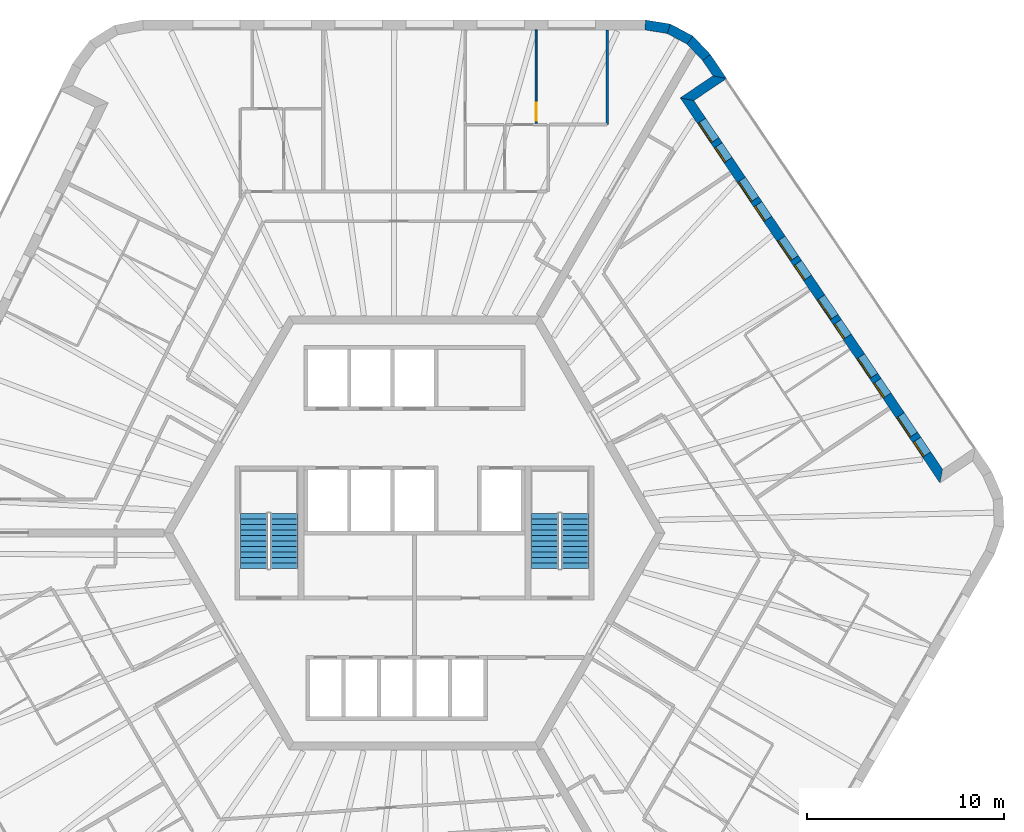
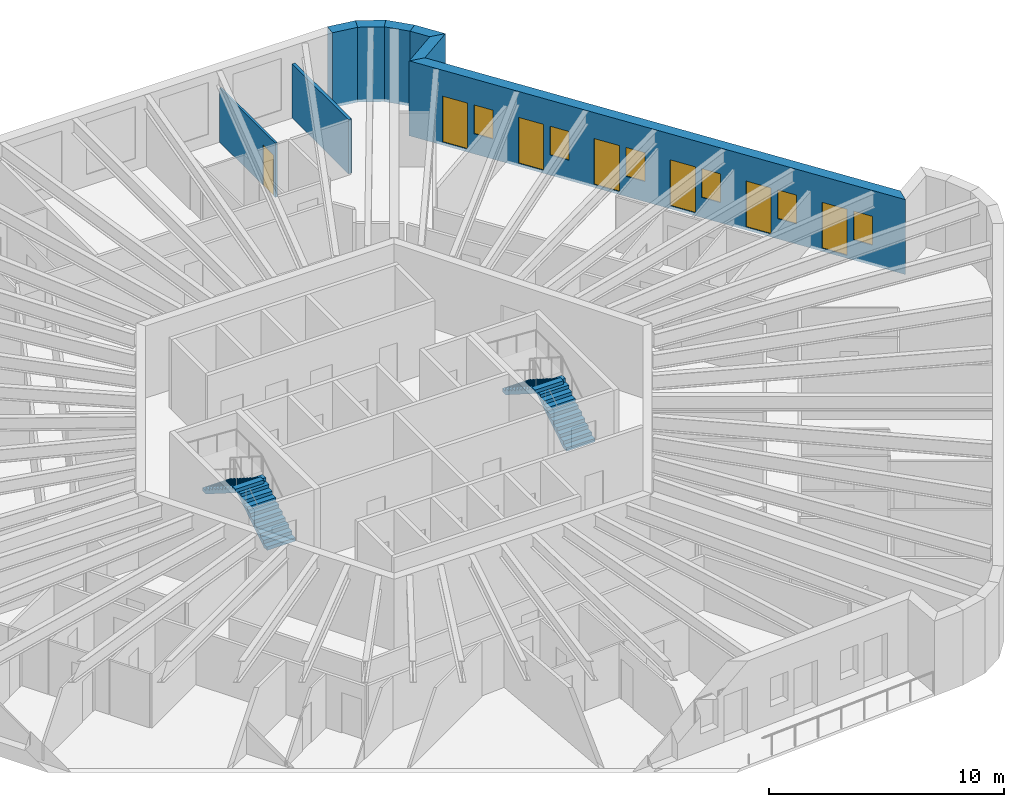
# One storey, part 11 of 12: 8 walls, 7 doors, 6 windows, 4 stair flights, 13 openings, 2 elements without a shape of their own.
"""IFC4 building model written with IfcOpenShell, lengths in metres."""

import ifcopenshell
import ifcopenshell.guid

model = None  # the IFC model being written
_history = None  # IfcOwnerHistory: only IFC2X3 demands one
_inside = {}  # id of a spatial element -> (the spatial element, [elements in it])
_under = {}  # id of a project, library or spatial element -> (it, [spatial elements below it])
_declared = {}  # id of a project -> (the project, [libraries it declares])
_typed = {}  # id of a type object -> (the type object, [elements of that type])
_made_of = {}  # id of a material, layer set ... -> (it, [elements and type objects made of it])


def new_model(schema):
    """Start an empty IFC model of exactly this schema.

    Asked for "IFC4X3", IfcOpenShell would pick the latest addendum, in which some entities
    have other attributes; the version numbers below select the first issue.
    IFC2X3 requires an IfcOwnerHistory on every rooted entity: one is made here for all.
    """
    global model, _history
    if schema == "IFC4X3":
        model = ifcopenshell.file(schema_version=(4, 3, 0, 0))
    else:
        model = ifcopenshell.file(schema=schema)
    _inside.clear()
    _under.clear()
    _declared.clear()
    _typed.clear()
    _made_of.clear()
    _history = None
    if model.schema == "IFC2X3":
        org = make("IfcOrganization", Name="unknown")
        user = make(
            "IfcPersonAndOrganization",
            ThePerson=make("IfcPerson", FamilyName="unknown"),
            TheOrganization=org,
        )
        app = make(
            "IfcApplication",
            ApplicationDeveloper=org,
            Version="unknown",
            ApplicationFullName="unknown",
            ApplicationIdentifier="unknown",
        )
        _history = make(
            "IfcOwnerHistory",
            OwningUser=user,
            OwningApplication=app,
            ChangeAction="ADDED",
            CreationDate=0,
        )
    return model


def make(cls, **values):
    """One entity of the class cls with the attributes given. An attribute that is None is left unset."""
    return model.create_entity(
        cls, **{name: value for name, value in values.items() if value is not None}
    )


def rooted(cls, **values):
    """An entity with a GlobalId (a new one), such as an element, a storey or a relation."""
    return make(cls, GlobalId=ifcopenshell.guid.new(), OwnerHistory=_history, **values)


def si_unit(unit_type, name, prefix=None):
    """IfcSIUnit, for example si_unit("LENGTHUNIT", "METRE", prefix="MILLI")."""
    return make("IfcSIUnit", UnitType=unit_type, Prefix=prefix, Name=name)


def assignment(units):
    """IfcUnitAssignment: the units of a project."""
    return None if units is None else make("IfcUnitAssignment", Units=units)


def point(xyz):
    """IfcCartesianPoint."""
    return None if xyz is None else make("IfcCartesianPoint", Coordinates=xyz)


def direction(xyz):
    """IfcDirection."""
    return None if xyz is None else make("IfcDirection", DirectionRatios=xyz)


def frame(location, z_axis=None, x_axis=None):
    """IfcAxis2Placement3D, a coordinate frame: its origin and axes. An axis left out is left unset."""
    return make(
        "IfcAxis2Placement3D",
        Location=point(location),
        Axis=direction(z_axis),
        RefDirection=direction(x_axis),
    )


def frame_2d(location, x_axis=None):
    """IfcAxis2Placement2D, a coordinate frame in the plane: its origin and x axis."""
    return make(
        "IfcAxis2Placement2D", Location=point(location), RefDirection=direction(x_axis)
    )


def origin():
    """The frame at (0, 0, 0) with its axes left unset."""
    return frame((0.0, 0.0, 0.0))


def place(relative_to, where):
    """IfcLocalPlacement: puts the frame where relative to a parent placement (None: the world)."""
    return make(
        "IfcLocalPlacement", PlacementRelTo=relative_to, RelativePlacement=where
    )


def context(
    kind, dimensions, precision=None, world=None, true_north=None, identifier=None
):
    """IfcGeometricRepresentationContext, for example the 3D "Model" context."""
    return make(
        "IfcGeometricRepresentationContext",
        ContextIdentifier=identifier,
        ContextType=kind,
        CoordinateSpaceDimension=dimensions,
        Precision=precision,
        WorldCoordinateSystem=world,
        TrueNorth=true_north,
    )


def subcontext(parent, identifier, kind, view, scale=None):
    """IfcGeometricRepresentationSubContext, for example "Body" below "Model"."""
    return make(
        "IfcGeometricRepresentationSubContext",
        ContextIdentifier=identifier,
        ContextType=kind,
        ParentContext=parent,
        TargetScale=scale,
        TargetView=view,
    )


def project(units=None, contexts=None):
    """IfcProject with its units and contexts."""
    return rooted(
        "IfcProject",
        Name="project",
        RepresentationContexts=contexts,
        UnitsInContext=assignment(units),
    )


def spatial(cls, under=None, at=None, **own):
    """A site, building, storey or space (cls), placed at a placement, below another one or the project."""
    s = rooted(cls, ObjectPlacement=at, **own)
    if under is not None:
        _under.setdefault(under.id(), (under, []))[1].append(s)
    return s


def polyline(points):
    """IfcPolyline through the points."""
    return make("IfcPolyline", Points=[point(p) for p in points])


def profile(cls, at=None, kind="AREA", **sizes):
    """A parametric profile (cls). Its sizes go by their IFC names, for example OverallWidth=200.0."""
    return make(cls, ProfileType=kind, Position=at, **sizes)


def rectangle(**sizes):
    """IfcRectangleProfileDef."""
    return profile("IfcRectangleProfileDef", **sizes)


def outline(outer, holes=None, kind="AREA"):
    """IfcArbitraryClosedProfileDef: a profile drawn as a closed curve; with holes, ...WithVoids."""
    if holes is None:
        return make("IfcArbitraryClosedProfileDef", ProfileType=kind, OuterCurve=outer)
    return make(
        "IfcArbitraryProfileDefWithVoids",
        ProfileType=kind,
        OuterCurve=outer,
        InnerCurves=holes,
    )


def extrude(swept, where, along, depth):
    """IfcExtrudedAreaSolid: the profile swept, set in the frame where, extruded along a direction by depth."""
    return make(
        "IfcExtrudedAreaSolid",
        SweptArea=swept,
        Position=where,
        ExtrudedDirection=direction(along),
        Depth=depth,
    )


def shape(context_of_items, identifier, shape_type, items):
    """IfcShapeRepresentation: the items that make up one representation, for example the "Body"."""
    return make(
        "IfcShapeRepresentation",
        ContextOfItems=context_of_items,
        RepresentationIdentifier=identifier,
        RepresentationType=shape_type,
        Items=items,
    )


def material(Name=None, Category=None):
    """IfcMaterial."""
    return make("IfcMaterial", Name=Name, Category=Category)


def layer(
    of_material, thickness, ventilated=None, Name=None, Category=None, Priority=None
):
    """IfcMaterialLayer: one layer of a wall or slab, of a material (None: an air gap)."""
    return make(
        "IfcMaterialLayer",
        Material=of_material,
        LayerThickness=thickness,
        IsVentilated=ventilated,
        Name=Name,
        Category=Category,
        Priority=Priority,
    )


def layer_set(layers, Name=None):
    """IfcMaterialLayerSet."""
    return make("IfcMaterialLayerSet", MaterialLayers=layers, LayerSetName=Name)


def made_of(thing, what):
    """Note that an element or type object is made of a material, layer set ...; save() writes the relation."""
    if what is not None:
        _made_of.setdefault(what.id(), (what, []))[1].append(thing)
    return thing


def type_object(cls, material=None, **own):
    """A type object (cls), such as IfcWallType, which elements share."""
    return made_of(rooted(cls, **own), material)


def element(
    cls,
    number,
    at=None,
    inside=None,
    cuts=None,
    type_object=None,
    material=None,
    context=None,
    identifier="Body",
    shape_type=None,
    held_by="IfcProductDefinitionShape",
    body=None,
    shapes=None,
    **own,
):
    """One element of the class cls, such as IfcWall. Its Tag is "e" and its number.

    at: its placement. inside: the storey or other place that contains it. cuts: it is an
    opening in that element (IfcRelVoidsElement). A single representation is given by context,
    identifier, shape_type and body (its items); several are given by shapes. held_by: the class
    of the entity that holds the representations. save() writes the other relations.
    """
    e = rooted(cls, Tag="e%d" % number, ObjectPlacement=at, **own)
    if body is not None:
        shapes = [shape(context, identifier, shape_type, body)]
    if shapes is not None:
        e.Representation = make(held_by, Representations=shapes)
    if inside is not None:
        _inside.setdefault(inside.id(), (inside, []))[1].append(e)
    if cuts is not None:
        rooted(
            "IfcRelVoidsElement", RelatingBuildingElement=cuts, RelatedOpeningElement=e
        )
    if type_object is not None:
        _typed.setdefault(type_object.id(), (type_object, []))[1].append(e)
    return made_of(e, material)


def fill(opening, filler):
    """IfcRelFillsElement: the door or window that sits in an opening."""
    return rooted(
        "IfcRelFillsElement",
        RelatingOpeningElement=opening,
        RelatedBuildingElement=filler,
    )


def aggregate(whole, parts):
    """IfcRelAggregates: a whole, such as a stair, and the parts it consists of."""
    return rooted("IfcRelAggregates", RelatingObject=whole, RelatedObjects=parts)


def save(model, path):
    """Write the relations noted so far, then the file.

    IfcRelAggregates (storeys below a building ...), IfcRelContainedInSpatialStructure (elements
    in a storey), IfcRelDefinesByType, IfcRelAssociatesMaterial and IfcRelDeclares: one each for
    every whole, place, type object, material and project.
    """
    for whole, parts in _under.values():
        aggregate(whole, parts)
    for where, things in _inside.values():
        rooted(
            "IfcRelContainedInSpatialStructure",
            RelatedElements=things,
            RelatingStructure=where,
        )
    for kind, things in _typed.values():
        rooted("IfcRelDefinesByType", RelatedObjects=things, RelatingType=kind)
    for what, things in _made_of.values():
        rooted("IfcRelAssociatesMaterial", RelatedObjects=things, RelatingMaterial=what)
    for by, libraries in _declared.values():
        rooted("IfcRelDeclares", RelatingContext=by, RelatedDefinitions=libraries)
    model.write(path)


model = new_model("IFC4")

# Units and contexts
model_context = context("Model", 3, precision=1e-05, world=origin(), true_north=direction((0.0, 1.0)))
body_context = subcontext(model_context, "Body", "Model", "MODEL_VIEW")
ifc_project = project(units=[si_unit("LENGTHUNIT", "METRE"), si_unit("AREAUNIT", "SQUARE_METRE"), si_unit("VOLUMEUNIT", "CUBIC_METRE"), si_unit("PLANEANGLEUNIT", "RADIAN"), si_unit("MASSUNIT", "GRAM", prefix="KILO")], contexts=[model_context])

# Site, building, storey
site_placement = place(None, origin())
site = spatial("IfcSite", under=ifc_project, at=site_placement, CompositionType="ELEMENT")
building_placement = place(site_placement, origin())
building = spatial("IfcBuilding", under=site, at=building_placement, Name="Tarnside Tower", CompositionType="ELEMENT")
storey_placement = place(building_placement, frame((0.0, 0.0, 264.0)))
storey = spatial("IfcBuildingStorey", under=building, at=storey_placement, Name="L63", CompositionType="ELEMENT", Elevation=264.0)

# Wall
ifc_material_1 = material(Name="Gypsum board partition on steel studs", Category="steel")
ifc_layer_1 = layer(ifc_material_1, 0.14990234375)
ifc_layer_set_1 = layer_set([ifc_layer_1], Name="Corridor wall 150 EI 60")
wall_type_1 = type_object("IfcWallType", Name="Corridor wall 150 EI 60", PredefinedType="PARTITIONING", material=ifc_layer_set_1)
wall_1_placement = place(storey_placement, frame((9.775146484375, 25.5, 0.0), z_axis=(0.0, 0.0, 1.0), x_axis=(0.0, -1.0, 0.0)))
element("IfcWall", 1, at=wall_1_placement, inside=storey, type_object=wall_type_1, Name="Corridor wall 20006", PredefinedType="PARTITIONING", context=body_context, shape_type="SweptSolid", body=[
    extrude(rectangle(XDim=4.798828125, YDim=0.14990234375, at=frame_2d((2.3994140625, 0.0))), origin(), (0.0, 0.0, 1.0), 2.823486328125),
])

# Wall, openings, doors, windows
ifc_material_2 = material(Name="Dark zinc cladding")
ifc_layer_2 = layer(ifc_material_2, 0.10205078125)
ifc_material_3 = material(Name="Concrete C60/75 precast", Category="concrete")
ifc_layer_3 = layer(ifc_material_3, 0.298095703125)
ifc_material_4 = material(Name="Mineral wool insulation")
ifc_layer_4 = layer(ifc_material_4, 0.10009765625)
ifc_layer_set_2 = layer_set([ifc_layer_2, ifc_layer_3, ifc_layer_4], Name="Loggia wall 500 zinc faced")
wall_type_2 = type_object("IfcWallType", Name="Loggia wall 500 zinc faced", PredefinedType="SOLIDWALL", material=ifc_layer_set_2)
wall_2_placement = place(storey_placement, frame((26.705810546875, 2.87890625, -0.14990234375), z_axis=(0.0, 0.0, 1.0), x_axis=(-0.559197891507, 0.829034208061, 0.0)))
wall_2 = element("IfcWall", 2, at=wall_2_placement, inside=storey, type_object=wall_type_2, Name="Tube wall L63 F6 back 30", PredefinedType="SOLIDWALL", context=body_context, shape_type="SweptSolid", body=[
    extrude(outline(polyline([(0.25, -0.25), (22.794677734375, -0.25), (23.294677734375, 0.25), (-0.25, 0.25), (0.25, -0.25)])), origin(), (0.0, 0.0, 1.0), 3.89990234375),
])
opening_1_placement = place(wall_2_placement, frame((1.322509765625, 0.0, 1.050048828125)))
opening_1 = element("IfcOpeningElement", 3, at=opening_1_placement, cuts=wall_2, Name="Opening WL500", PredefinedType="OPENING", context=body_context, shape_type="SweptSolid", body=[
    extrude(rectangle(XDim=0.89990234375, YDim=1.5, at=frame_2d((0.449951171875, 0.75))), frame((0.0, 0.260009765625, 0.0), z_axis=(0.0, -1.0, 0.0), x_axis=(1.0, 0.0, 0.0)), (0.0, 0.0, 1.0), 0.52001953125),
])
opening_2_placement = place(wall_2_placement, frame((2.5224609375, 0.0, 0.14990234375)))
opening_2 = element("IfcOpeningElement", 4, at=opening_2_placement, cuts=wall_2, Name="Opening DB500", PredefinedType="OPENING", context=body_context, shape_type="SweptSolid", body=[
    extrude(rectangle(XDim=1.199951171875, YDim=2.39990234375, at=frame_2d((0.60009765625, 1.199951171875))), frame((0.0, 0.260009765625, 0.0), z_axis=(0.0, -1.0, 0.0), x_axis=(1.0, 0.0, 0.0)), (0.0, 0.0, 1.0), 0.52001953125),
])
opening_3_placement = place(wall_2_placement, frame((4.92236328125, 0.0, 1.050048828125)))
opening_3 = element("IfcOpeningElement", 5, at=opening_3_placement, cuts=wall_2, Name="Opening WL500", PredefinedType="OPENING", context=body_context, shape_type="SweptSolid", body=[
    extrude(rectangle(XDim=0.89990234375, YDim=1.5, at=frame_2d((0.449951171875, 0.75))), frame((0.0, 0.260009765625, 0.0), z_axis=(0.0, -1.0, 0.0), x_axis=(1.0, 0.0, 0.0)), (0.0, 0.0, 1.0), 0.52001953125),
])
opening_4_placement = place(wall_2_placement, frame((6.122314453125, 0.0, 0.14990234375)))
opening_4 = element("IfcOpeningElement", 6, at=opening_4_placement, cuts=wall_2, Name="Opening DB500", PredefinedType="OPENING", context=body_context, shape_type="SweptSolid", body=[
    extrude(rectangle(XDim=1.199951171875, YDim=2.39990234375, at=frame_2d((0.60009765625, 1.199951171875))), frame((0.0, 0.260009765625, 0.0), z_axis=(0.0, -1.0, 0.0), x_axis=(1.0, 0.0, 0.0)), (0.0, 0.0, 1.0), 0.52001953125),
])
opening_5_placement = place(wall_2_placement, frame((8.5224609375, 0.0, 1.050048828125)))
opening_5 = element("IfcOpeningElement", 7, at=opening_5_placement, cuts=wall_2, Name="Opening WL500", PredefinedType="OPENING", context=body_context, shape_type="SweptSolid", body=[
    extrude(rectangle(XDim=0.89990234375, YDim=1.5, at=frame_2d((0.449951171875, 0.75))), frame((0.0, 0.260009765625, 0.0), z_axis=(0.0, -1.0, 0.0), x_axis=(1.0, 0.0, 0.0)), (0.0, 0.0, 1.0), 0.52001953125),
])
opening_6_placement = place(wall_2_placement, frame((9.722412109375, 0.0, 0.14990234375)))
opening_6 = element("IfcOpeningElement", 8, at=opening_6_placement, cuts=wall_2, Name="Opening DB500", PredefinedType="OPENING", context=body_context, shape_type="SweptSolid", body=[
    extrude(rectangle(XDim=1.199951171875, YDim=2.39990234375, at=frame_2d((0.60009765625, 1.199951171875))), frame((0.0, 0.260009765625, 0.0), z_axis=(0.0, -1.0, 0.0), x_axis=(1.0, 0.0, 0.0)), (0.0, 0.0, 1.0), 0.52001953125),
])
opening_7_placement = place(wall_2_placement, frame((12.122314453125, 0.0, 1.050048828125)))
opening_7 = element("IfcOpeningElement", 9, at=opening_7_placement, cuts=wall_2, Name="Opening WL500", PredefinedType="OPENING", context=body_context, shape_type="SweptSolid", body=[
    extrude(rectangle(XDim=0.89990234375, YDim=1.5, at=frame_2d((0.449951171875, 0.75))), frame((0.0, 0.260009765625, 0.0), z_axis=(0.0, -1.0, 0.0), x_axis=(1.0, 0.0, 0.0)), (0.0, 0.0, 1.0), 0.52001953125),
])
opening_8_placement = place(wall_2_placement, frame((13.322509765625, 0.0, 0.14990234375)))
opening_8 = element("IfcOpeningElement", 10, at=opening_8_placement, cuts=wall_2, Name="Opening DB500", PredefinedType="OPENING", context=body_context, shape_type="SweptSolid", body=[
    extrude(rectangle(XDim=1.199951171875, YDim=2.39990234375, at=frame_2d((0.60009765625, 1.199951171875))), frame((0.0, 0.260009765625, 0.0), z_axis=(0.0, -1.0, 0.0), x_axis=(1.0, 0.0, 0.0)), (0.0, 0.0, 1.0), 0.52001953125),
])
opening_9_placement = place(wall_2_placement, frame((15.722412109375, 0.0, 1.050048828125)))
opening_9 = element("IfcOpeningElement", 11, at=opening_9_placement, cuts=wall_2, Name="Opening WL500", PredefinedType="OPENING", context=body_context, shape_type="SweptSolid", body=[
    extrude(rectangle(XDim=0.89990234375, YDim=1.5, at=frame_2d((0.449951171875, 0.75))), frame((0.0, 0.260009765625, 0.0), z_axis=(0.0, -1.0, 0.0), x_axis=(1.0, 0.0, 0.0)), (0.0, 0.0, 1.0), 0.52001953125),
])
opening_10_placement = place(wall_2_placement, frame((16.92236328125, 0.0, 0.14990234375)))
opening_10 = element("IfcOpeningElement", 12, at=opening_10_placement, cuts=wall_2, Name="Opening DB500", PredefinedType="OPENING", context=body_context, shape_type="SweptSolid", body=[
    extrude(rectangle(XDim=1.199951171875, YDim=2.39990234375, at=frame_2d((0.60009765625, 1.199951171875))), frame((0.0, 0.260009765625, 0.0), z_axis=(0.0, -1.0, 0.0), x_axis=(1.0, 0.0, 0.0)), (0.0, 0.0, 1.0), 0.52001953125),
])
opening_11_placement = place(wall_2_placement, frame((19.322509765625, 0.0, 1.050048828125)))
opening_11 = element("IfcOpeningElement", 13, at=opening_11_placement, cuts=wall_2, Name="Opening WL500", PredefinedType="OPENING", context=body_context, shape_type="SweptSolid", body=[
    extrude(rectangle(XDim=0.89990234375, YDim=1.5, at=frame_2d((0.449951171875, 0.75))), frame((0.0, 0.260009765625, 0.0), z_axis=(0.0, -1.0, 0.0), x_axis=(1.0, 0.0, 0.0)), (0.0, 0.0, 1.0), 0.52001953125),
])
opening_12_placement = place(wall_2_placement, frame((20.5224609375, 0.0, 0.14990234375)))
opening_12 = element("IfcOpeningElement", 14, at=opening_12_placement, cuts=wall_2, Name="Opening DB500", PredefinedType="OPENING", context=body_context, shape_type="SweptSolid", body=[
    extrude(rectangle(XDim=1.199951171875, YDim=2.39990234375, at=frame_2d((0.60009765625, 1.199951171875))), frame((0.0, 0.260009765625, 0.0), z_axis=(0.0, -1.0, 0.0), x_axis=(1.0, 0.0, 0.0)), (0.0, 0.0, 1.0), 0.52001953125),
])
ifc_material_5 = material(Name="Aluminium-framed double glazing", Category="aluminium")
door_type_1 = type_object("IfcDoorType", Name="Balcony sliding door 1200 x 2400 in 500 wall", OperationType="SLIDING_TO_LEFT", PredefinedType="DOOR", material=ifc_material_5)
door_1_placement = place(opening_2_placement, frame((0.0, 0.1748046875, 0.0)))
door_1 = element("IfcDoor", 15, at=door_1_placement, inside=storey, type_object=door_type_1, Name="E.BD.L63.F6.00", OperationType="SLIDING_TO_LEFT", OverallHeight=2.39990234375, OverallWidth=1.199951171875, PredefinedType="DOOR", context=body_context, shape_type="SweptSolid", body=[
    extrude(rectangle(XDim=1.199951171875, YDim=2.39990234375, at=frame_2d((0.60009765625, 1.199951171875))), frame((0.0, 0.02490234375, 0.0), z_axis=(0.0, -1.0, 0.0), x_axis=(1.0, 0.0, 0.0)), (0.0, 0.0, 1.0), 0.050048828125),
])
fill(opening_2, door_1)
door_2_placement = place(opening_4_placement, frame((0.0, 0.1748046875, 0.0)))
door_2 = element("IfcDoor", 16, at=door_2_placement, inside=storey, type_object=door_type_1, Name="E.BD.L63.F6.01", OperationType="SLIDING_TO_LEFT", OverallHeight=2.39990234375, OverallWidth=1.199951171875, PredefinedType="DOOR", context=body_context, shape_type="SweptSolid", body=[
    extrude(rectangle(XDim=1.199951171875, YDim=2.39990234375, at=frame_2d((0.60009765625, 1.199951171875))), frame((0.0, 0.02490234375, 0.0), z_axis=(0.0, -1.0, 0.0), x_axis=(1.0, 0.0, 0.0)), (0.0, 0.0, 1.0), 0.050048828125),
])
fill(opening_4, door_2)
door_3_placement = place(opening_6_placement, frame((0.0, 0.1748046875, 0.0)))
door_3 = element("IfcDoor", 17, at=door_3_placement, inside=storey, type_object=door_type_1, Name="E.BD.L63.F6.02", OperationType="SLIDING_TO_LEFT", OverallHeight=2.39990234375, OverallWidth=1.199951171875, PredefinedType="DOOR", context=body_context, shape_type="SweptSolid", body=[
    extrude(rectangle(XDim=1.199951171875, YDim=2.39990234375, at=frame_2d((0.60009765625, 1.199951171875))), frame((0.0, 0.02490234375, 0.0), z_axis=(0.0, -1.0, 0.0), x_axis=(1.0, 0.0, 0.0)), (0.0, 0.0, 1.0), 0.050048828125),
])
fill(opening_6, door_3)
door_4_placement = place(opening_8_placement, frame((0.0, 0.1748046875, 0.0)))
door_4 = element("IfcDoor", 18, at=door_4_placement, inside=storey, type_object=door_type_1, Name="E.BD.L63.F6.03", OperationType="SLIDING_TO_LEFT", OverallHeight=2.39990234375, OverallWidth=1.199951171875, PredefinedType="DOOR", context=body_context, shape_type="SweptSolid", body=[
    extrude(rectangle(XDim=1.199951171875, YDim=2.39990234375, at=frame_2d((0.60009765625, 1.199951171875))), frame((0.0, 0.02490234375, 0.0), z_axis=(0.0, -1.0, 0.0), x_axis=(1.0, 0.0, 0.0)), (0.0, 0.0, 1.0), 0.050048828125),
])
fill(opening_8, door_4)
door_5_placement = place(opening_10_placement, frame((0.0, 0.1748046875, 0.0)))
door_5 = element("IfcDoor", 19, at=door_5_placement, inside=storey, type_object=door_type_1, Name="E.BD.L63.F6.04", OperationType="SLIDING_TO_LEFT", OverallHeight=2.39990234375, OverallWidth=1.199951171875, PredefinedType="DOOR", context=body_context, shape_type="SweptSolid", body=[
    extrude(rectangle(XDim=1.199951171875, YDim=2.39990234375, at=frame_2d((0.60009765625, 1.199951171875))), frame((0.0, 0.02490234375, 0.0), z_axis=(0.0, -1.0, 0.0), x_axis=(1.0, 0.0, 0.0)), (0.0, 0.0, 1.0), 0.050048828125),
])
fill(opening_10, door_5)
door_6_placement = place(opening_12_placement, frame((0.0, 0.1748046875, 0.0)))
door_6 = element("IfcDoor", 20, at=door_6_placement, inside=storey, type_object=door_type_1, Name="E.BD.L63.F6.05", OperationType="SLIDING_TO_LEFT", OverallHeight=2.39990234375, OverallWidth=1.199951171875, PredefinedType="DOOR", context=body_context, shape_type="SweptSolid", body=[
    extrude(rectangle(XDim=1.199951171875, YDim=2.39990234375, at=frame_2d((0.60009765625, 1.199951171875))), frame((0.0, 0.02490234375, 0.0), z_axis=(0.0, -1.0, 0.0), x_axis=(1.0, 0.0, 0.0)), (0.0, 0.0, 1.0), 0.050048828125),
])
fill(opening_12, door_6)
window_type = type_object("IfcWindowType", Name="Loggia window 900 x 1500 in 500 wall", PartitioningType="SINGLE_PANEL", PredefinedType="WINDOW", material=ifc_material_5)
window_1_placement = place(opening_1_placement, frame((0.0, 0.179931640625, 0.0)))
window_1 = element("IfcWindow", 21, at=window_1_placement, inside=storey, type_object=window_type, Name="E.LW.L63.F6.00", OverallHeight=1.5, OverallWidth=0.89990234375, PartitioningType="SINGLE_PANEL", PredefinedType="WINDOW", context=body_context, shape_type="SweptSolid", body=[
    extrude(rectangle(XDim=0.89990234375, YDim=1.5, at=frame_2d((0.449951171875, 0.75))), frame((0.0, 0.030029296875, 0.0), z_axis=(0.0, -1.0, 0.0), x_axis=(1.0, 0.0, 0.0)), (0.0, 0.0, 1.0), 0.06005859375),
])
fill(opening_1, window_1)
window_2_placement = place(opening_3_placement, frame((0.0, 0.179931640625, 0.0)))
window_2 = element("IfcWindow", 22, at=window_2_placement, inside=storey, type_object=window_type, Name="E.LW.L63.F6.01", OverallHeight=1.5, OverallWidth=0.89990234375, PartitioningType="SINGLE_PANEL", PredefinedType="WINDOW", context=body_context, shape_type="SweptSolid", body=[
    extrude(rectangle(XDim=0.89990234375, YDim=1.5, at=frame_2d((0.449951171875, 0.75))), frame((0.0, 0.030029296875, 0.0), z_axis=(0.0, -1.0, 0.0), x_axis=(1.0, 0.0, 0.0)), (0.0, 0.0, 1.0), 0.06005859375),
])
fill(opening_3, window_2)
window_3_placement = place(opening_5_placement, frame((0.0, 0.179931640625, 0.0)))
window_3 = element("IfcWindow", 23, at=window_3_placement, inside=storey, type_object=window_type, Name="E.LW.L63.F6.02", OverallHeight=1.5, OverallWidth=0.89990234375, PartitioningType="SINGLE_PANEL", PredefinedType="WINDOW", context=body_context, shape_type="SweptSolid", body=[
    extrude(rectangle(XDim=0.89990234375, YDim=1.5, at=frame_2d((0.449951171875, 0.75))), frame((0.0, 0.030029296875, 0.0), z_axis=(0.0, -1.0, 0.0), x_axis=(1.0, 0.0, 0.0)), (0.0, 0.0, 1.0), 0.06005859375),
])
fill(opening_5, window_3)
window_4_placement = place(opening_7_placement, frame((0.0, 0.179931640625, 0.0)))
window_4 = element("IfcWindow", 24, at=window_4_placement, inside=storey, type_object=window_type, Name="E.LW.L63.F6.03", OverallHeight=1.5, OverallWidth=0.89990234375, PartitioningType="SINGLE_PANEL", PredefinedType="WINDOW", context=body_context, shape_type="SweptSolid", body=[
    extrude(rectangle(XDim=0.89990234375, YDim=1.5, at=frame_2d((0.449951171875, 0.75))), frame((0.0, 0.030029296875, 0.0), z_axis=(0.0, -1.0, 0.0), x_axis=(1.0, 0.0, 0.0)), (0.0, 0.0, 1.0), 0.06005859375),
])
fill(opening_7, window_4)
window_5_placement = place(opening_9_placement, frame((0.0, 0.179931640625, 0.0)))
window_5 = element("IfcWindow", 25, at=window_5_placement, inside=storey, type_object=window_type, Name="E.LW.L63.F6.04", OverallHeight=1.5, OverallWidth=0.89990234375, PartitioningType="SINGLE_PANEL", PredefinedType="WINDOW", context=body_context, shape_type="SweptSolid", body=[
    extrude(rectangle(XDim=0.89990234375, YDim=1.5, at=frame_2d((0.449951171875, 0.75))), frame((0.0, 0.030029296875, 0.0), z_axis=(0.0, -1.0, 0.0), x_axis=(1.0, 0.0, 0.0)), (0.0, 0.0, 1.0), 0.06005859375),
])
fill(opening_9, window_5)
window_6_placement = place(opening_11_placement, frame((0.0, 0.179931640625, 0.0)))
window_6 = element("IfcWindow", 26, at=window_6_placement, inside=storey, type_object=window_type, Name="E.LW.L63.F6.05", OverallHeight=1.5, OverallWidth=0.89990234375, PartitioningType="SINGLE_PANEL", PredefinedType="WINDOW", context=body_context, shape_type="SweptSolid", body=[
    extrude(rectangle(XDim=0.89990234375, YDim=1.5, at=frame_2d((0.449951171875, 0.75))), frame((0.0, 0.030029296875, 0.0), z_axis=(0.0, -1.0, 0.0), x_axis=(1.0, 0.0, 0.0)), (0.0, 0.0, 1.0), 0.06005859375),
])
fill(opening_11, window_6)

# Walls
wall_3_placement = place(storey_placement, frame((13.8193359375, 21.983642578125, -0.14990234375), z_axis=(0.0, 0.0, 1.0), x_axis=(0.829052389485, 0.559170935841, 0.0)))
element("IfcWall", 27, at=wall_3_placement, inside=storey, type_object=wall_type_2, Name="Tube wall L63 F6 return 31", PredefinedType="SOLIDWALL", context=body_context, shape_type="SweptSolid", body=[
    extrude(outline(polyline([(0.25, -0.25), (2.25, -0.25), (1.75, 0.25), (-0.25, 0.25), (0.25, -0.25)])), origin(), (0.0, 0.0, 1.0), 3.89990234375),
])
wall_4_placement = place(storey_placement, frame((15.4775390625, 23.10205078125, -0.14990234375), z_axis=(0.0, 0.0, 1.0), x_axis=(-0.559245726333, 0.829001940636, 0.0)))
element("IfcWall", 28, at=wall_4_placement, inside=storey, type_object=wall_type_2, Name="Tube wall L63 F6 stub 32", PredefinedType="SOLIDWALL", context=body_context, shape_type="SweptSolid", body=[
    extrude(outline(polyline([(-0.25, -0.25), (1.220703125, -0.25), (1.1796875, 0.25), (0.25, 0.25), (-0.25, -0.25)])), origin(), (0.0, 0.0, 1.0), 3.89990234375),
])

# Wall, opening, door
ifc_layer_5 = layer(ifc_material_1, 0.10009765625)
ifc_layer_set_3 = layer_set([ifc_layer_5], Name="Partition 100")
wall_type_3 = type_object("IfcWallType", Name="Partition 100", PredefinedType="PARTITIONING", material=ifc_layer_set_3)
wall_5_placement = place(storey_placement, frame((6.17529296875, 25.5, 0.0), z_axis=(0.0, 0.0, 1.0), x_axis=(0.0, -1.0, 0.0)))
wall_5 = element("IfcWall", 29, at=wall_5_placement, inside=storey, type_object=wall_type_3, Name="Partition wall 20089", PredefinedType="PARTITIONING", context=body_context, shape_type="SweptSolid", body=[
    extrude(rectangle(XDim=4.75, YDim=0.10009765625, at=frame_2d((2.375, 0.0))), origin(), (0.0, 0.0, 1.0), 2.823486328125),
])
opening_13_placement = place(wall_5_placement, frame((3.699951171875, 0.0, 0.0)))
opening_13 = element("IfcOpeningElement", 30, at=opening_13_placement, cuts=wall_5, Name="Opening D-I1", PredefinedType="OPENING", context=body_context, shape_type="SweptSolid", body=[
    extrude(rectangle(XDim=0.89990234375, YDim=2.10009765625, at=frame_2d((0.449951171875, 1.050048828125))), frame((0.0, 0.06005859375, 0.0), z_axis=(0.0, -1.0, 0.0), x_axis=(1.0, 0.0, 0.0)), (0.0, 0.0, 1.0), 0.1201171875),
])
ifc_material_6 = material(Name="Timber door leaf", Category="wood")
door_type_2 = type_object("IfcDoorType", Name="Internal door 900", OperationType="NOTDEFINED", PredefinedType="DOOR", material=ifc_material_6)
door_7_placement = place(opening_13_placement, origin())
door_7 = element("IfcDoor", 31, at=door_7_placement, inside=storey, type_object=door_type_2, Name="Internal door 20008", OperationType="SINGLE_SWING_RIGHT", OverallHeight=2.10009765625, OverallWidth=0.89990234375, PredefinedType="DOOR", context=body_context, shape_type="SweptSolid", body=[
    extrude(rectangle(XDim=0.89990234375, YDim=2.10009765625, at=frame_2d((0.449951171875, 1.050048828125))), frame((0.0, 0.02490234375, 0.0), z_axis=(0.0, -1.0, 0.0), x_axis=(1.0, 0.0, 0.0)), (0.0, 0.0, 1.0), 0.050048828125),
])
fill(opening_13, door_7)

# Walls
ifc_material_7 = material(Name="Facing brick", Category="masonry")
ifc_layer_6 = layer(ifc_material_7, 0.10205078125)
ifc_layer_7 = layer(ifc_material_3, 0.298095703125)
ifc_layer_8 = layer(ifc_material_4, 0.10009765625)
ifc_layer_set_4 = layer_set([ifc_layer_6, ifc_layer_7, ifc_layer_8], Name="Tube wall 500 brick faced")
wall_type_4 = type_object("IfcWallType", Name="Tube wall 500 brick faced", PredefinedType="SOLIDWALL", material=ifc_layer_set_4)
wall_6_placement = place(storey_placement, frame((14.806396484375, 24.096923828125, -0.14990234375), z_axis=(0.0, 0.0, 1.0), x_axis=(-0.686234452793, 0.727380420275, 0.0)))
element("IfcWall", 32, at=wall_6_placement, inside=storey, type_object=wall_type_4, Name="Tube wall L63 F6 chord 33", PredefinedType="SOLIDWALL", context=body_context, shape_type="SweptSolid", body=[
    extrude(outline(polyline([(-0.0205078125, -0.25), (1.25732421875, -0.25), (1.17529296875, 0.25), (0.0205078125, 0.25), (-0.0205078125, -0.25)])), origin(), (0.0, 0.0, 1.0), 3.89990234375),
])
wall_7_placement = place(storey_placement, frame((13.9716796875, 24.981689453125, -0.14990234375), z_axis=(0.0, 0.0, 1.0), x_axis=(-0.882902492938, 0.469556373575, 0.0)))
element("IfcWall", 33, at=wall_7_placement, inside=storey, type_object=wall_type_4, Name="Tube wall L63 F6 chord 34", PredefinedType="SOLIDWALL", context=body_context, shape_type="SweptSolid", body=[
    extrude(outline(polyline([(-0.041015625, -0.25), (1.257080078125, -0.25), (1.175048828125, 0.25), (0.041015625, 0.25), (-0.041015625, -0.25)])), origin(), (0.0, 0.0, 1.0), 3.89990234375),
])
wall_8_placement = place(storey_placement, frame((12.89794921875, 25.552734375, -0.14990234375), z_axis=(0.0, 0.0, 1.0), x_axis=(-0.986765617372, 0.16215306464, 0.0)))
element("IfcWall", 34, at=wall_8_placement, inside=storey, type_object=wall_type_4, Name="Tube wall L63 F6 chord 35", PredefinedType="SOLIDWALL", context=body_context, shape_type="SweptSolid", body=[
    extrude(outline(polyline([(-0.041015625, -0.25), (1.237060546875, -0.25), (1.196044921875, 0.25), (0.041015625, 0.25), (-0.041015625, -0.25)])), origin(), (0.0, 0.0, 1.0), 3.89990234375),
])

# Stair, stair flights
ifc_material_8 = material(Name="Concrete C40/50", Category="concrete")
stair_type = type_object("IfcStairType", Name="Exit stair 1400 clear", PredefinedType="HALF_TURN_STAIR", material=ifc_material_8)
stair_1_placement = place(storey_placement, origin())
stair_1 = element("IfcStair", 35, at=stair_1_placement, inside=storey, type_object=stair_type, Name="L63 Exit stair 1", PredefinedType="HALF_TURN_STAIR")
stair_flight_type = type_object("IfcStairFlightType", Name="Exit stair flight 1400", PredefinedType="STRAIGHT", material=ifc_material_8)
stair_flight_1_placement = place(storey_placement, frame((8.14990234375, -1.800048828125, 0.0), z_axis=(0.0, 0.0, 1.0), x_axis=(0.0, 1.0, 0.0)))
stair_flight_1 = element("IfcStairFlight", 36, at=stair_flight_1_placement, type_object=stair_flight_type, Name="ST1 flight 1", NumberOfRisers=11, NumberOfTreads=10, PredefinedType="STRAIGHT", RiserHeight=0.177272727, TreadLength=0.28, context=body_context, shape_type="SweptSolid", body=[
    extrude(outline(polyline([(0.0, 0.0), (0.0, 0.17724609375), (0.280029296875, 0.17724609375), (0.280029296875, 0.3544921875), (0.56005859375, 0.3544921875), (0.56005859375, 0.53173828125), (0.840087890625, 0.53173828125), (0.840087890625, 0.708984375), (1.1201171875, 0.708984375), (1.1201171875, 0.886474609375), (1.39990234375, 0.886474609375), (1.39990234375, 1.063720703125), (1.679931640625, 1.063720703125), (1.679931640625, 1.240966796875), (1.9599609375, 1.240966796875), (1.9599609375, 1.418212890625), (2.239990234375, 1.418212890625), (2.239990234375, 1.595458984375), (2.52001953125, 1.595458984375), (2.52001953125, 1.772705078125), (2.800048828125, 1.772705078125), (2.800048828125, 1.949951171875), (2.800048828125, 1.59521484375), (0.2802734375, 0.0), (0.0, 0.0)])), frame((0.0, 0.699951171875, 0.0), z_axis=(0.0, -1.0, 0.0), x_axis=(1.0, 0.0, 0.0)), (0.0, 0.0, 1.0), 1.39990234375),
])
stair_flight_2_placement = place(storey_placement, frame((6.60009765625, 1.0, 1.949951171875), z_axis=(0.0, 0.0, 1.0), x_axis=(0.0, -1.0, 0.0)))
stair_flight_2 = element("IfcStairFlight", 37, at=stair_flight_2_placement, type_object=stair_flight_type, Name="ST1 flight 2", NumberOfRisers=11, NumberOfTreads=10, PredefinedType="STRAIGHT", RiserHeight=0.177272727, TreadLength=0.28, context=body_context, shape_type="SweptSolid", body=[
    extrude(outline(polyline([(0.0, 0.0), (0.0, 0.17724609375), (0.280029296875, 0.17724609375), (0.280029296875, 0.3544921875), (0.56005859375, 0.3544921875), (0.56005859375, 0.53173828125), (0.840087890625, 0.53173828125), (0.840087890625, 0.708984375), (1.1201171875, 0.708984375), (1.1201171875, 0.886474609375), (1.39990234375, 0.886474609375), (1.39990234375, 1.063720703125), (1.679931640625, 1.063720703125), (1.679931640625, 1.240966796875), (1.9599609375, 1.240966796875), (1.9599609375, 1.418212890625), (2.239990234375, 1.418212890625), (2.239990234375, 1.595458984375), (2.52001953125, 1.595458984375), (2.52001953125, 1.772705078125), (2.800048828125, 1.772705078125), (2.800048828125, 1.949951171875), (2.800048828125, 1.59521484375), (0.2802734375, 0.0), (0.0, 0.0)])), frame((0.0, 0.699951171875, 0.0), z_axis=(0.0, -1.0, 0.0), x_axis=(1.0, 0.0, 0.0)), (0.0, 0.0, 1.0), 1.39990234375),
])
aggregate(stair_1, [stair_flight_1, stair_flight_2])

stair_2_placement = place(storey_placement, origin())
stair_2 = element("IfcStair", 38, at=stair_2_placement, inside=storey, type_object=stair_type, Name="L63 Exit stair 2", PredefinedType="HALF_TURN_STAIR")
stair_flight_3_placement = place(storey_placement, frame((-6.60009765625, -1.800048828125, 0.0), z_axis=(0.0, 0.0, 1.0), x_axis=(0.0, 1.0, 0.0)))
stair_flight_3 = element("IfcStairFlight", 39, at=stair_flight_3_placement, type_object=stair_flight_type, Name="ST2 flight 1", NumberOfRisers=11, NumberOfTreads=10, PredefinedType="STRAIGHT", RiserHeight=0.177272727, TreadLength=0.28, context=body_context, shape_type="SweptSolid", body=[
    extrude(outline(polyline([(0.0, 0.0), (0.0, 0.17724609375), (0.280029296875, 0.17724609375), (0.280029296875, 0.3544921875), (0.56005859375, 0.3544921875), (0.56005859375, 0.53173828125), (0.840087890625, 0.53173828125), (0.840087890625, 0.708984375), (1.1201171875, 0.708984375), (1.1201171875, 0.886474609375), (1.39990234375, 0.886474609375), (1.39990234375, 1.063720703125), (1.679931640625, 1.063720703125), (1.679931640625, 1.240966796875), (1.9599609375, 1.240966796875), (1.9599609375, 1.418212890625), (2.239990234375, 1.418212890625), (2.239990234375, 1.595458984375), (2.52001953125, 1.595458984375), (2.52001953125, 1.772705078125), (2.800048828125, 1.772705078125), (2.800048828125, 1.949951171875), (2.800048828125, 1.59521484375), (0.2802734375, 0.0), (0.0, 0.0)])), frame((0.0, 0.699951171875, 0.0), z_axis=(0.0, -1.0, 0.0), x_axis=(1.0, 0.0, 0.0)), (0.0, 0.0, 1.0), 1.39990234375),
])
stair_flight_4_placement = place(storey_placement, frame((-8.14990234375, 1.0, 1.949951171875), z_axis=(0.0, 0.0, 1.0), x_axis=(0.0, -1.0, 0.0)))
stair_flight_4 = element("IfcStairFlight", 40, at=stair_flight_4_placement, type_object=stair_flight_type, Name="ST2 flight 2", NumberOfRisers=11, NumberOfTreads=10, PredefinedType="STRAIGHT", RiserHeight=0.177272727, TreadLength=0.28, context=body_context, shape_type="SweptSolid", body=[
    extrude(outline(polyline([(0.0, 0.0), (0.0, 0.17724609375), (0.280029296875, 0.17724609375), (0.280029296875, 0.3544921875), (0.56005859375, 0.3544921875), (0.56005859375, 0.53173828125), (0.840087890625, 0.53173828125), (0.840087890625, 0.708984375), (1.1201171875, 0.708984375), (1.1201171875, 0.886474609375), (1.39990234375, 0.886474609375), (1.39990234375, 1.063720703125), (1.679931640625, 1.063720703125), (1.679931640625, 1.240966796875), (1.9599609375, 1.240966796875), (1.9599609375, 1.418212890625), (2.239990234375, 1.418212890625), (2.239990234375, 1.595458984375), (2.52001953125, 1.595458984375), (2.52001953125, 1.772705078125), (2.800048828125, 1.772705078125), (2.800048828125, 1.949951171875), (2.800048828125, 1.59521484375), (0.2802734375, 0.0), (0.0, 0.0)])), frame((0.0, 0.699951171875, 0.0), z_axis=(0.0, -1.0, 0.0), x_axis=(1.0, 0.0, 0.0)), (0.0, 0.0, 1.0), 1.39990234375),
])
aggregate(stair_2, [stair_flight_3, stair_flight_4])

save(model, "model.ifc")
